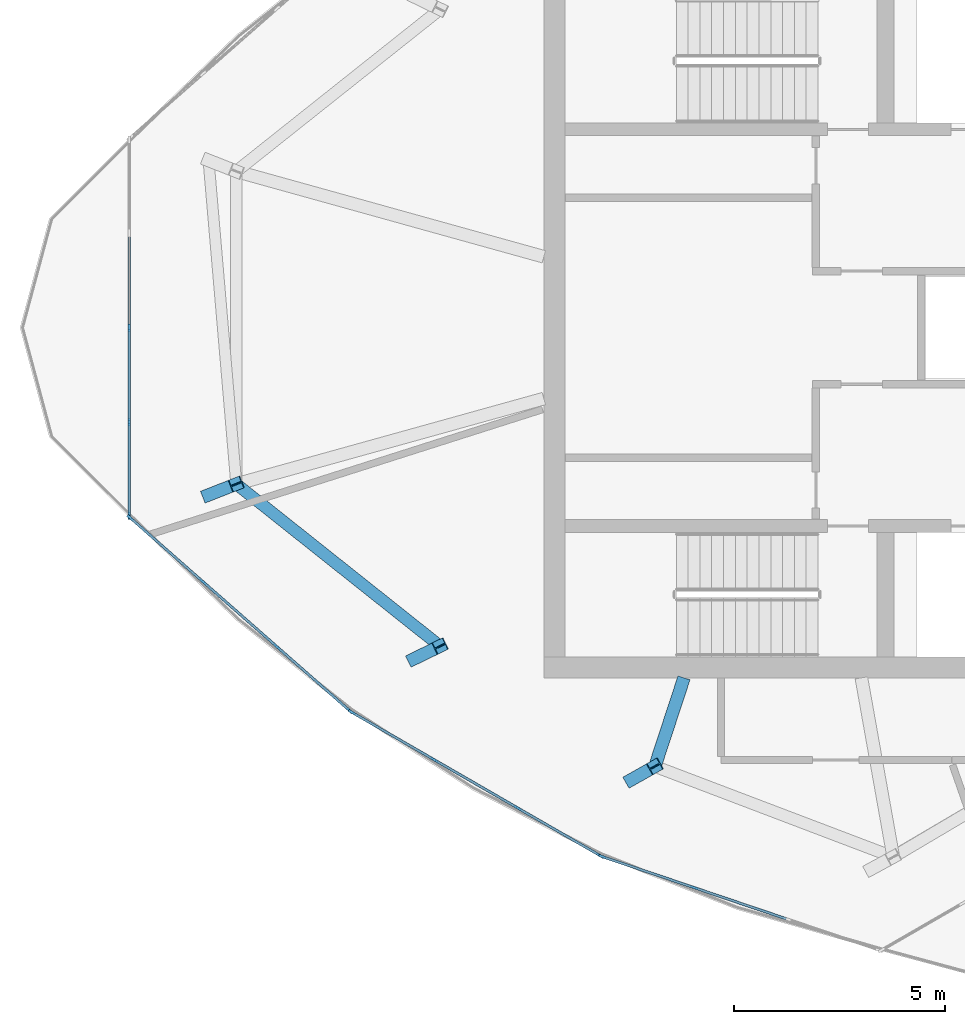
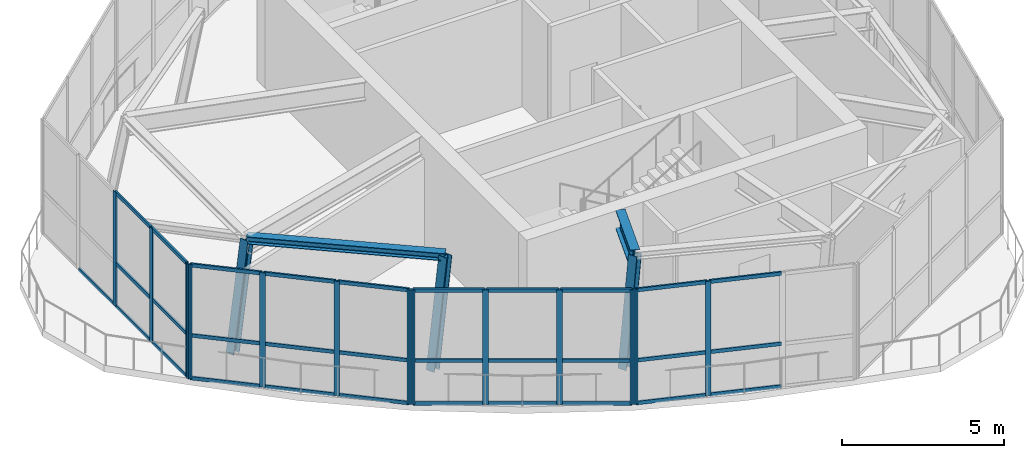
# One storey, part 1 of 11: 48 members, 1 beam, 4 elements without a shape of their own.
"""IFC4 building model written with IfcOpenShell, lengths in metres."""

from ifc_helpers import new_model, si_unit, direction, frame, origin, origin_2d, place, context, subcontext, project, spatial, rectangle, i_section, extrude, source, transform, mapped, material, layer, layer_set, material_profile, profile_set, type_object, element, aggregate, save


model = new_model("IFC4")

# Units and contexts
model_context = context("Model", 3, precision=1e-05, world=origin(), true_north=direction((0.0, 1.0)))
body_context = subcontext(model_context, "Body", "Model", "MODEL_VIEW")
ifc_project = project(units=[si_unit("LENGTHUNIT", "METRE"), si_unit("AREAUNIT", "SQUARE_METRE"), si_unit("VOLUMEUNIT", "CUBIC_METRE"), si_unit("PLANEANGLEUNIT", "RADIAN"), si_unit("MASSUNIT", "GRAM", prefix="KILO")], contexts=[model_context])

# Site, building, storey
site_placement = place(None, origin())
site = spatial("IfcSite", under=ifc_project, at=site_placement, CompositionType="ELEMENT")
building_placement = place(site_placement, origin())
building = spatial("IfcBuilding", under=site, at=building_placement, Name="Qafzar Sky-Pleat Residences", CompositionType="ELEMENT")
storey_placement = place(building_placement, frame((0.0, 0.0, 257.5)))
storey = spatial("IfcBuildingStorey", under=building, at=storey_placement, Name="L77 Crown", CompositionType="ELEMENT", Elevation=257.5)

# Members
ifc_material_1 = material(Name="Steel S460", Category="steel")
ifc_material_profile_1 = material_profile(ifc_material_1, i_section(OverallWidth=0.300048828125, OverallDepth=0.300048828125, WebThickness=0.010986328125, FlangeThickness=0.01904296875, FilletRadius=0.027099609375, at=origin_2d()), Name="HEB 300")
ifc_profile_set_1 = profile_set([ifc_material_profile_1], Name="Steel S460")
member_type_1 = type_object("IfcMemberType", Name="MEM-CROWN-RIB", PredefinedType="CHORD", material=ifc_profile_set_1)
shared_shape_1 = source(origin(), body_context, "Body", "SweptSolid", [
    extrude(i_section(OverallWidth=0.300048828125, OverallDepth=0.300048828125, WebThickness=0.010986328125, FlangeThickness=0.01904296875, FilletRadius=0.027099609375, at=origin_2d()), origin(), (0.0, 0.0, 1.0), 3.95947265625),
])
member_1_placement = place(storey_placement, frame((16.35302734375, 22.03564453125, 0.0), z_axis=(0.166048887915, 0.065174034358, 0.983961438303), x_axis=(-0.365363603817, 0.930864886547, 0.0)))
element("IfcMember", 1, at=member_1_placement, inside=storey, type_object=member_type_1, Name="L77 Crown CROWN FRAME Inclined Rib 2", PredefinedType="CHORD", context=body_context, shape_type="MappedRepresentation", body=[
    mapped(shared_shape_1, transform((0.0, 0.0, 0.0), x_axis=(1.0, 0.0, 0.0), y_axis=(0.0, 1.0, 0.0), z_axis=(0.0, 0.0, 1.0), scale=1.0)),
])
shared_shape_2 = source(origin(), body_context, "Body", "SweptSolid", [
    extrude(i_section(OverallWidth=0.300048828125, OverallDepth=0.300048828125, WebThickness=0.010986328125, FlangeThickness=0.01904296875, FilletRadius=0.027099609375, at=origin_2d()), origin(), (0.0, 0.0, 1.0), 3.95703125),
])
member_2_placement = place(storey_placement, frame((21.219970703125, 18.150390625, 0.0), z_axis=(0.15727218564, 0.076322359214, 0.984601623555), x_axis=(-0.436593885369, 0.899658701541, 0.0)))
element("IfcMember", 2, at=member_2_placement, inside=storey, type_object=member_type_1, Name="L77 Crown CROWN FRAME Inclined Rib 3", PredefinedType="CHORD", context=body_context, shape_type="MappedRepresentation", body=[
    mapped(shared_shape_2, transform((0.0, 0.0, 0.0), x_axis=(1.0, 0.0, 0.0), y_axis=(0.0, 1.0, 0.0), z_axis=(0.0, 0.0, 1.0), scale=1.0)),
])
shared_shape_3 = source(origin(), body_context, "Body", "SweptSolid", [
    extrude(i_section(OverallWidth=0.300048828125, OverallDepth=0.300048828125, WebThickness=0.010986328125, FlangeThickness=0.01904296875, FilletRadius=0.027099609375, at=origin_2d()), origin(), (0.0, 0.0, 1.0), 3.9482421875),
])
member_3_placement = place(storey_placement, frame((26.375244140625, 15.2861328125, 0.0), z_axis=(0.141291723016, 0.079704608739, 0.986754186387), x_axis=(-0.491328601201, 0.870974285293, 0.0)))
element("IfcMember", 3, at=member_3_placement, inside=storey, type_object=member_type_1, Name="L77 Crown CROWN FRAME Inclined Rib 4", PredefinedType="CHORD", context=body_context, shape_type="MappedRepresentation", body=[
    mapped(shared_shape_3, transform((0.0, 0.0, 0.0), x_axis=(1.0, 0.0, 0.0), y_axis=(0.0, 1.0, 0.0), z_axis=(0.0, 0.0, 1.0), scale=1.0)),
])
ifc_material_2 = material(Name="Steel S355", Category="steel")
ifc_material_profile_2 = material_profile(ifc_material_2, i_section(OverallWidth=0.280029296875, OverallDepth=0.280029296875, WebThickness=0.010498046875, FlangeThickness=0.01806640625, FilletRadius=0.02392578125, at=origin_2d()), Name="HEB 280")
ifc_profile_set_2 = profile_set([ifc_material_profile_2], Name="Steel S355")
member_type_2 = type_object("IfcMemberType", Name="MEM-CROWN-RING", PredefinedType="PURLIN", material=ifc_profile_set_2)
shared_shape_4 = source(origin(), body_context, "Body", "SweptSolid", [
    extrude(i_section(OverallWidth=0.280029296875, OverallDepth=0.280029296875, WebThickness=0.010498046875, FlangeThickness=0.01806640625, FilletRadius=0.02392578125, at=origin_2d()), origin(), (0.0, 0.0, 1.0), 6.172607421875),
])
member_4_placement = place(storey_placement, frame((17.010498046875, 22.293701171875, 3.906005859375), z_axis=(0.782771382016, -0.622309379245, 0.0), x_axis=(0.622309379245, 0.782771382016, 0.0)))
element("IfcMember", 4, at=member_4_placement, inside=storey, type_object=member_type_2, Name="L77 Crown CROWN FRAME Ring Beam 2", PredefinedType="PURLIN", context=body_context, shape_type="MappedRepresentation", body=[
    mapped(shared_shape_4, transform((0.0, 0.0, 0.0), x_axis=(1.0, 0.0, 0.0), y_axis=(0.0, 1.0, 0.0), z_axis=(0.0, 0.0, 1.0), scale=1.0)),
])

# Beam
ifc_material_profile_3 = material_profile(ifc_material_1, i_section(OverallWidth=0.300048828125, OverallDepth=0.699951171875, WebThickness=0.01708984375, FlangeThickness=0.031982421875, FilletRadius=0.027099609375, at=origin_2d()), Name="HEB 700")
ifc_profile_set_3 = profile_set([ifc_material_profile_3], Name="Steel S460")
beam_type = type_object("IfcBeamType", Name="BM-CHORD-HEB700", PredefinedType="BEAM", material=ifc_profile_set_3)
shared_shape_5 = source(origin(), body_context, "Body", "SweptSolid", [
    extrude(i_section(OverallWidth=0.300048828125, OverallDepth=0.699951171875, WebThickness=0.01708984375, FlangeThickness=0.031982421875, FilletRadius=0.027099609375, at=origin_2d()), origin(), (0.0, 0.0, 1.0), 2.20947265625),
])
beam_placement = place(storey_placement, frame((26.93310546875, 15.600830078125, 3.697998046875), z_axis=(0.312147590213, 0.95003362147, 0.0), x_axis=(-0.95003362147, 0.312147590213, 0.0)))
element("IfcBeam", 5, at=beam_placement, inside=storey, type_object=beam_type, Name="L78 Crown Crown Rib Base Transfer Beam 4", PredefinedType="BEAM", context=body_context, shape_type="MappedRepresentation", body=[
    mapped(shared_shape_5, transform((0.0, 0.0, 0.0), x_axis=(1.0, 0.0, 0.0), y_axis=(0.0, 1.0, 0.0), z_axis=(0.0, 0.0, 1.0), scale=1.0)),
])

# Curtain wall, members
ifc_material_3 = material(Name="Anodised bronze aluminium framing", Category="aluminium")
ifc_layer = layer(ifc_material_3, 0.179931640625)
ifc_layer_set = layer_set([ifc_layer], Name="Anodised bronze aluminium framing")
curtain_wall_type = type_object("IfcCurtainWallType", Name="CW-SYS-06", PredefinedType="NOTDEFINED", material=ifc_layer_set)
curtain_wall_1_placement = place(storey_placement, origin())
curtain_wall_1 = element("IfcCurtainWall", 6, at=curtain_wall_1_placement, inside=storey, type_object=curtain_wall_type, Name="L77 Crown CW-06 Curtain Wall CW-CROWN-02-01", PredefinedType="NOTDEFINED")
ifc_material_4 = material(Name="Anodised bronze aluminium", Category="aluminium")
ifc_material_profile_4 = material_profile(ifc_material_4, rectangle(XDim=0.06005859375, YDim=0.179931640625, at=origin_2d()), Name="ALU MULLION 60x180")
ifc_profile_set_4 = profile_set([ifc_material_profile_4], Name="Anodised bronze aluminium")
member_type_3 = type_object("IfcMemberType", Name="CWM-06", PredefinedType="MULLION", material=ifc_profile_set_4)
shared_shape_6 = source(origin(), body_context, "Body", "SweptSolid", [
    extrude(rectangle(XDim=0.06005859375, YDim=0.179931640625, at=origin_2d()), origin(), (0.0, 0.0, 1.0), 4.300048828125),
])
member_5_placement = place(storey_placement, frame((14.474609375, 26.0, 0.0), z_axis=(0.0, 0.0, 1.0), x_axis=(1.0, 0.0, 0.0)))
member_5 = element("IfcMember", 7, at=member_5_placement, type_object=member_type_3, Name="CW-06 mullion 3", PredefinedType="MULLION", context=body_context, shape_type="MappedRepresentation", body=[
    mapped(shared_shape_6, transform((0.0, 0.0, 0.0), x_axis=(1.0, 0.0, 0.0), y_axis=(0.0, 1.0, 0.0), z_axis=(0.0, 0.0, 1.0), scale=1.0)),
])
member_6_placement = place(storey_placement, frame((14.474609375, 23.75634765625, 0.0), z_axis=(0.0, 0.0, 1.0), x_axis=(1.0, 0.0, 0.0)))
member_6 = element("IfcMember", 8, at=member_6_placement, type_object=member_type_3, Name="CW-06 mullion 4", PredefinedType="MULLION", context=body_context, shape_type="MappedRepresentation", body=[
    mapped(shared_shape_6, transform((0.0, 0.0, 0.0), x_axis=(1.0, 0.0, 0.0), y_axis=(0.0, 1.0, 0.0), z_axis=(0.0, 0.0, 1.0), scale=1.0)),
])
member_7_placement = place(storey_placement, frame((14.474609375, 21.542724609375, 0.0), z_axis=(0.0, 0.0, 1.0), x_axis=(1.0, 0.0, 0.0)))
member_7 = element("IfcMember", 9, at=member_7_placement, type_object=member_type_3, Name="CW-06 mullion 5", PredefinedType="MULLION", context=body_context, shape_type="MappedRepresentation", body=[
    mapped(shared_shape_6, transform((0.0, 0.0, 0.0), x_axis=(1.0, 0.0, 0.0), y_axis=(0.0, 1.0, 0.0), z_axis=(0.0, 0.0, 1.0), scale=1.0)),
])

curtain_wall_2_placement = place(storey_placement, origin())
curtain_wall_2 = element("IfcCurtainWall", 10, at=curtain_wall_2_placement, inside=storey, type_object=curtain_wall_type, Name="L77 Crown CW-06 Curtain Wall CW-CROWN-02-02", PredefinedType="NOTDEFINED")
member_8_placement = place(storey_placement, frame((14.4970703125, 21.492919921875, 0.0), z_axis=(0.0, 0.0, 1.0), x_axis=(0.660128796397, 0.751152429383, 0.0)))
member_8 = element("IfcMember", 11, at=member_8_placement, type_object=member_type_3, Name="CW-06 mullion 1", PredefinedType="MULLION", context=body_context, shape_type="MappedRepresentation", body=[
    mapped(shared_shape_6, transform((0.0, 0.0, 0.0), x_axis=(1.0, 0.0, 0.0), y_axis=(0.0, 1.0, 0.0), z_axis=(0.0, 0.0, 1.0), scale=1.0)),
])
member_9_placement = place(storey_placement, frame((16.224609375, 19.974853515625, 0.0), z_axis=(0.0, 0.0, 1.0), x_axis=(0.660128796397, 0.751152429383, 0.0)))
member_9 = element("IfcMember", 12, at=member_9_placement, type_object=member_type_3, Name="CW-06 mullion 2", PredefinedType="MULLION", context=body_context, shape_type="MappedRepresentation", body=[
    mapped(shared_shape_6, transform((0.0, 0.0, 0.0), x_axis=(1.0, 0.0, 0.0), y_axis=(0.0, 1.0, 0.0), z_axis=(0.0, 0.0, 1.0), scale=1.0)),
])
member_10_placement = place(storey_placement, frame((17.974609375, 18.436767578125, 0.0), z_axis=(0.0, 0.0, 1.0), x_axis=(0.660128796397, 0.751152429383, 0.0)))
member_10 = element("IfcMember", 13, at=member_10_placement, type_object=member_type_3, Name="CW-06 mullion 3", PredefinedType="MULLION", context=body_context, shape_type="MappedRepresentation", body=[
    mapped(shared_shape_6, transform((0.0, 0.0, 0.0), x_axis=(1.0, 0.0, 0.0), y_axis=(0.0, 1.0, 0.0), z_axis=(0.0, 0.0, 1.0), scale=1.0)),
])
member_11_placement = place(storey_placement, frame((19.7021484375, 16.918701171875, 0.0), z_axis=(0.0, 0.0, 1.0), x_axis=(0.660128796397, 0.751152429383, 0.0)))
member_11 = element("IfcMember", 14, at=member_11_placement, type_object=member_type_3, Name="CW-06 mullion 4", PredefinedType="MULLION", context=body_context, shape_type="MappedRepresentation", body=[
    mapped(shared_shape_6, transform((0.0, 0.0, 0.0), x_axis=(1.0, 0.0, 0.0), y_axis=(0.0, 1.0, 0.0), z_axis=(0.0, 0.0, 1.0), scale=1.0)),
])

curtain_wall_3_placement = place(storey_placement, origin())
curtain_wall_3 = element("IfcCurtainWall", 15, at=curtain_wall_3_placement, inside=storey, type_object=curtain_wall_type, Name="L77 Crown CW-06 Curtain Wall CW-CROWN-02-03", PredefinedType="NOTDEFINED")
member_12_placement = place(storey_placement, frame((19.75048828125, 16.8837890625, 0.0), z_axis=(0.0, 0.0, 1.0), x_axis=(0.499999476069, 0.866025706276, 0.0)))
member_12 = element("IfcMember", 16, at=member_12_placement, type_object=member_type_3, Name="CW-06 mullion 1", PredefinedType="MULLION", context=body_context, shape_type="MappedRepresentation", body=[
    mapped(shared_shape_6, transform((0.0, 0.0, 0.0), x_axis=(1.0, 0.0, 0.0), y_axis=(0.0, 1.0, 0.0), z_axis=(0.0, 0.0, 1.0), scale=1.0)),
])
member_13_placement = place(storey_placement, frame((21.703125, 15.756591796875, 0.0), z_axis=(0.0, 0.0, 1.0), x_axis=(0.499999476069, 0.866025706276, 0.0)))
member_13 = element("IfcMember", 17, at=member_13_placement, type_object=member_type_3, Name="CW-06 mullion 2", PredefinedType="MULLION", context=body_context, shape_type="MappedRepresentation", body=[
    mapped(shared_shape_6, transform((0.0, 0.0, 0.0), x_axis=(1.0, 0.0, 0.0), y_axis=(0.0, 1.0, 0.0), z_axis=(0.0, 0.0, 1.0), scale=1.0)),
])
member_14_placement = place(storey_placement, frame((23.681640625, 14.6142578125, 0.0), z_axis=(0.0, 0.0, 1.0), x_axis=(0.499999476069, 0.866025706276, 0.0)))
member_14 = element("IfcMember", 18, at=member_14_placement, type_object=member_type_3, Name="CW-06 mullion 3", PredefinedType="MULLION", context=body_context, shape_type="MappedRepresentation", body=[
    mapped(shared_shape_6, transform((0.0, 0.0, 0.0), x_axis=(1.0, 0.0, 0.0), y_axis=(0.0, 1.0, 0.0), z_axis=(0.0, 0.0, 1.0), scale=1.0)),
])
member_15_placement = place(storey_placement, frame((25.634033203125, 13.487060546875, 0.0), z_axis=(0.0, 0.0, 1.0), x_axis=(0.499999476069, 0.866025706276, 0.0)))
member_15 = element("IfcMember", 19, at=member_15_placement, type_object=member_type_3, Name="CW-06 mullion 4", PredefinedType="MULLION", context=body_context, shape_type="MappedRepresentation", body=[
    mapped(shared_shape_6, transform((0.0, 0.0, 0.0), x_axis=(1.0, 0.0, 0.0), y_axis=(0.0, 1.0, 0.0), z_axis=(0.0, 0.0, 1.0), scale=1.0)),
])

curtain_wall_4_placement = place(storey_placement, origin())
curtain_wall_4 = element("IfcCurtainWall", 20, at=curtain_wall_4_placement, inside=storey, type_object=curtain_wall_type, Name="L77 Crown CW-06 Curtain Wall CW-CROWN-02-04", PredefinedType="NOTDEFINED")
member_16_placement = place(storey_placement, frame((25.6884765625, 13.46240234375, 0.0), z_axis=(0.0, 0.0, 1.0), x_axis=(0.320448247802, 0.947266024135, 0.0)))
member_16 = element("IfcMember", 21, at=member_16_placement, type_object=member_type_3, Name="CW-06 mullion 1", PredefinedType="MULLION", context=body_context, shape_type="MappedRepresentation", body=[
    mapped(shared_shape_6, transform((0.0, 0.0, 0.0), x_axis=(1.0, 0.0, 0.0), y_axis=(0.0, 1.0, 0.0), z_axis=(0.0, 0.0, 1.0), scale=1.0)),
])
member_17_placement = place(storey_placement, frame((27.866943359375, 12.7255859375, 0.0), z_axis=(0.0, 0.0, 1.0), x_axis=(0.320448247802, 0.947266024135, 0.0)))
member_17 = element("IfcMember", 22, at=member_17_placement, type_object=member_type_3, Name="CW-06 mullion 2", PredefinedType="MULLION", context=body_context, shape_type="MappedRepresentation", body=[
    mapped(shared_shape_6, transform((0.0, 0.0, 0.0), x_axis=(1.0, 0.0, 0.0), y_axis=(0.0, 1.0, 0.0), z_axis=(0.0, 0.0, 1.0), scale=1.0)),
])

# Member
ifc_material_profile_5 = material_profile(ifc_material_4, rectangle(XDim=0.06005859375, YDim=0.135009765625, at=origin_2d()), Name="ALU TRANSOM 60x135")
ifc_profile_set_5 = profile_set([ifc_material_profile_5], Name="Anodised bronze aluminium")
member_type_4 = type_object("IfcMemberType", Name="CWT-06", PredefinedType="USERDEFINED", material=ifc_profile_set_5)
shared_shape_7 = source(origin(), body_context, "Body", "SweptSolid", [
    extrude(rectangle(XDim=0.06005859375, YDim=0.135009765625, at=origin_2d()), origin(), (0.0, 0.0, 1.0), 2.153564453125),
])
member_18_placement = place(storey_placement, frame((14.474609375, 23.726318359375, 0.030029296875), z_axis=(0.0, -1.0, 0.0), x_axis=(1.0, 0.0, 0.0)))
member_18 = element("IfcMember", 23, at=member_18_placement, type_object=member_type_4, Name="CW-06 transom 4.1", ObjectType="TRANSOM", PredefinedType="USERDEFINED", context=body_context, shape_type="MappedRepresentation", body=[
    mapped(shared_shape_7, transform((0.0, 0.0, 0.0), x_axis=(1.0, 0.0, 0.0), y_axis=(0.0, 1.0, 0.0), z_axis=(0.0, 0.0, 1.0), scale=1.0)),
])

member_19_placement = place(storey_placement, frame((14.474609375, 23.726318359375, 1.634033203125), z_axis=(0.0, -1.0, 0.0), x_axis=(1.0, 0.0, 0.0)))
member_19 = element("IfcMember", 24, at=member_19_placement, type_object=member_type_4, Name="CW-06 transom 4.2", ObjectType="TRANSOM", PredefinedType="USERDEFINED", context=body_context, shape_type="MappedRepresentation", body=[
    mapped(shared_shape_7, transform((0.0, 0.0, 0.0), x_axis=(1.0, 0.0, 0.0), y_axis=(0.0, 1.0, 0.0), z_axis=(0.0, 0.0, 1.0), scale=1.0)),
])

member_20_placement = place(storey_placement, frame((14.474609375, 23.726318359375, 4.27001953125), z_axis=(0.0, -1.0, 0.0), x_axis=(1.0, 0.0, 0.0)))
member_20 = element("IfcMember", 25, at=member_20_placement, type_object=member_type_4, Name="CW-06 transom 4.3", ObjectType="TRANSOM", PredefinedType="USERDEFINED", context=body_context, shape_type="MappedRepresentation", body=[
    mapped(shared_shape_7, transform((0.0, 0.0, 0.0), x_axis=(1.0, 0.0, 0.0), y_axis=(0.0, 1.0, 0.0), z_axis=(0.0, 0.0, 1.0), scale=1.0)),
])

shared_shape_8 = source(origin(), body_context, "Body", "SweptSolid", [
    extrude(rectangle(XDim=0.06005859375, YDim=0.135009765625, at=origin_2d()), origin(), (0.0, 0.0, 1.0), 2.18359375),
])
member_21_placement = place(storey_placement, frame((14.474609375, 28.213623046875, 0.030029296875), z_axis=(0.0, -1.0, 0.0), x_axis=(1.0, 0.0, 0.0)))
member_21 = element("IfcMember", 26, at=member_21_placement, type_object=member_type_4, Name="CW-06 transom 2.1", ObjectType="TRANSOM", PredefinedType="USERDEFINED", context=body_context, shape_type="MappedRepresentation", body=[
    mapped(shared_shape_8, transform((0.0, 0.0, 0.0), x_axis=(1.0, 0.0, 0.0), y_axis=(0.0, 1.0, 0.0), z_axis=(0.0, 0.0, 1.0), scale=1.0)),
])

member_22_placement = place(storey_placement, frame((14.474609375, 25.969970703125, 0.030029296875), z_axis=(0.0, -1.0, 0.0), x_axis=(1.0, 0.0, 0.0)))
member_22 = element("IfcMember", 27, at=member_22_placement, type_object=member_type_4, Name="CW-06 transom 3.1", ObjectType="TRANSOM", PredefinedType="USERDEFINED", context=body_context, shape_type="MappedRepresentation", body=[
    mapped(shared_shape_8, transform((0.0, 0.0, 0.0), x_axis=(1.0, 0.0, 0.0), y_axis=(0.0, 1.0, 0.0), z_axis=(0.0, 0.0, 1.0), scale=1.0)),
])

member_23_placement = place(storey_placement, frame((14.474609375, 25.969970703125, 1.634033203125), z_axis=(0.0, -1.0, 0.0), x_axis=(1.0, 0.0, 0.0)))
member_23 = element("IfcMember", 28, at=member_23_placement, type_object=member_type_4, Name="CW-06 transom 3.2", ObjectType="TRANSOM", PredefinedType="USERDEFINED", context=body_context, shape_type="MappedRepresentation", body=[
    mapped(shared_shape_8, transform((0.0, 0.0, 0.0), x_axis=(1.0, 0.0, 0.0), y_axis=(0.0, 1.0, 0.0), z_axis=(0.0, 0.0, 1.0), scale=1.0)),
])

member_24_placement = place(storey_placement, frame((14.474609375, 25.969970703125, 4.27001953125), z_axis=(0.0, -1.0, 0.0), x_axis=(1.0, 0.0, 0.0)))
member_24 = element("IfcMember", 29, at=member_24_placement, type_object=member_type_4, Name="CW-06 transom 3.3", ObjectType="TRANSOM", PredefinedType="USERDEFINED", context=body_context, shape_type="MappedRepresentation", body=[
    mapped(shared_shape_8, transform((0.0, 0.0, 0.0), x_axis=(1.0, 0.0, 0.0), y_axis=(0.0, 1.0, 0.0), z_axis=(0.0, 0.0, 1.0), scale=1.0)),
])

aggregate(curtain_wall_1, [member_5, member_6, member_7, member_21, member_22, member_23, member_24, member_18, member_19, member_20])

shared_shape_9 = source(origin(), body_context, "Body", "SweptSolid", [
    extrude(rectangle(XDim=0.06005859375, YDim=0.135009765625, at=origin_2d()), origin(), (0.0, 0.0, 1.0), 2.23974609375),
])
member_25_placement = place(storey_placement, frame((14.51953125, 21.47314453125, 0.030029296875), z_axis=(0.751150157237, -0.660131381835, 0.0), x_axis=(0.660131381835, 0.751150157237, 0.0)))
member_25 = element("IfcMember", 30, at=member_25_placement, type_object=member_type_4, Name="CW-06 transom 1.1", ObjectType="TRANSOM", PredefinedType="USERDEFINED", context=body_context, shape_type="MappedRepresentation", body=[
    mapped(shared_shape_9, transform((0.0, 0.0, 0.0), x_axis=(1.0, 0.0, 0.0), y_axis=(0.0, 1.0, 0.0), z_axis=(0.0, 0.0, 1.0), scale=1.0)),
])

member_26_placement = place(storey_placement, frame((14.51953125, 21.47314453125, 1.634033203125), z_axis=(0.751150157237, -0.660131381835, 0.0), x_axis=(0.660131381835, 0.751150157237, 0.0)))
member_26 = element("IfcMember", 31, at=member_26_placement, type_object=member_type_4, Name="CW-06 transom 1.2", ObjectType="TRANSOM", PredefinedType="USERDEFINED", context=body_context, shape_type="MappedRepresentation", body=[
    mapped(shared_shape_9, transform((0.0, 0.0, 0.0), x_axis=(1.0, 0.0, 0.0), y_axis=(0.0, 1.0, 0.0), z_axis=(0.0, 0.0, 1.0), scale=1.0)),
])

member_27_placement = place(storey_placement, frame((14.51953125, 21.47314453125, 4.27001953125), z_axis=(0.751150157237, -0.660131381835, 0.0), x_axis=(0.660131381835, 0.751150157237, 0.0)))
member_27 = element("IfcMember", 32, at=member_27_placement, type_object=member_type_4, Name="CW-06 transom 1.3", ObjectType="TRANSOM", PredefinedType="USERDEFINED", context=body_context, shape_type="MappedRepresentation", body=[
    mapped(shared_shape_9, transform((0.0, 0.0, 0.0), x_axis=(1.0, 0.0, 0.0), y_axis=(0.0, 1.0, 0.0), z_axis=(0.0, 0.0, 1.0), scale=1.0)),
])

member_28_placement = place(storey_placement, frame((17.9970703125, 18.4169921875, 0.030029296875), z_axis=(0.751150157237, -0.660131381835, 0.0), x_axis=(0.660131381835, 0.751150157237, 0.0)))
member_28 = element("IfcMember", 33, at=member_28_placement, type_object=member_type_4, Name="CW-06 transom 3.1", ObjectType="TRANSOM", PredefinedType="USERDEFINED", context=body_context, shape_type="MappedRepresentation", body=[
    mapped(shared_shape_9, transform((0.0, 0.0, 0.0), x_axis=(1.0, 0.0, 0.0), y_axis=(0.0, 1.0, 0.0), z_axis=(0.0, 0.0, 1.0), scale=1.0)),
])

member_29_placement = place(storey_placement, frame((17.9970703125, 18.4169921875, 1.634033203125), z_axis=(0.751150157237, -0.660131381835, 0.0), x_axis=(0.660131381835, 0.751150157237, 0.0)))
member_29 = element("IfcMember", 34, at=member_29_placement, type_object=member_type_4, Name="CW-06 transom 3.2", ObjectType="TRANSOM", PredefinedType="USERDEFINED", context=body_context, shape_type="MappedRepresentation", body=[
    mapped(shared_shape_9, transform((0.0, 0.0, 0.0), x_axis=(1.0, 0.0, 0.0), y_axis=(0.0, 1.0, 0.0), z_axis=(0.0, 0.0, 1.0), scale=1.0)),
])

member_30_placement = place(storey_placement, frame((17.9970703125, 18.4169921875, 4.27001953125), z_axis=(0.751150157237, -0.660131381835, 0.0), x_axis=(0.660131381835, 0.751150157237, 0.0)))
member_30 = element("IfcMember", 35, at=member_30_placement, type_object=member_type_4, Name="CW-06 transom 3.3", ObjectType="TRANSOM", PredefinedType="USERDEFINED", context=body_context, shape_type="MappedRepresentation", body=[
    mapped(shared_shape_9, transform((0.0, 0.0, 0.0), x_axis=(1.0, 0.0, 0.0), y_axis=(0.0, 1.0, 0.0), z_axis=(0.0, 0.0, 1.0), scale=1.0)),
])

member_31_placement = place(storey_placement, frame((25.716796875, 13.452880859375, 0.030029296875), z_axis=(0.947256702943, -0.320475800535, 0.0), x_axis=(0.320475800535, 0.947256702943, 0.0)))
member_31 = element("IfcMember", 36, at=member_31_placement, type_object=member_type_4, Name="CW-06 transom 1.1", ObjectType="TRANSOM", PredefinedType="USERDEFINED", context=body_context, shape_type="MappedRepresentation", body=[
    mapped(shared_shape_9, transform((0.0, 0.0, 0.0), x_axis=(1.0, 0.0, 0.0), y_axis=(0.0, 1.0, 0.0), z_axis=(0.0, 0.0, 1.0), scale=1.0)),
])

member_32_placement = place(storey_placement, frame((25.716796875, 13.452880859375, 1.634033203125), z_axis=(0.947256702943, -0.320475800535, 0.0), x_axis=(0.320475800535, 0.947256702943, 0.0)))
member_32 = element("IfcMember", 37, at=member_32_placement, type_object=member_type_4, Name="CW-06 transom 1.2", ObjectType="TRANSOM", PredefinedType="USERDEFINED", context=body_context, shape_type="MappedRepresentation", body=[
    mapped(shared_shape_9, transform((0.0, 0.0, 0.0), x_axis=(1.0, 0.0, 0.0), y_axis=(0.0, 1.0, 0.0), z_axis=(0.0, 0.0, 1.0), scale=1.0)),
])

member_33_placement = place(storey_placement, frame((25.716796875, 13.452880859375, 4.27001953125), z_axis=(0.947256702943, -0.320475800535, 0.0), x_axis=(0.320475800535, 0.947256702943, 0.0)))
member_33 = element("IfcMember", 38, at=member_33_placement, type_object=member_type_4, Name="CW-06 transom 1.3", ObjectType="TRANSOM", PredefinedType="USERDEFINED", context=body_context, shape_type="MappedRepresentation", body=[
    mapped(shared_shape_9, transform((0.0, 0.0, 0.0), x_axis=(1.0, 0.0, 0.0), y_axis=(0.0, 1.0, 0.0), z_axis=(0.0, 0.0, 1.0), scale=1.0)),
])

shared_shape_10 = source(origin(), body_context, "Body", "SweptSolid", [
    extrude(rectangle(XDim=0.06005859375, YDim=0.135009765625, at=origin_2d()), origin(), (0.0, 0.0, 1.0), 2.269775390625),
])
member_34_placement = place(storey_placement, frame((16.2470703125, 19.955078125, 0.030029296875), z_axis=(0.751189140422, -0.660087021015, 0.0), x_axis=(0.660087021015, 0.751189140422, 0.0)))
member_34 = element("IfcMember", 39, at=member_34_placement, type_object=member_type_4, Name="CW-06 transom 2.1", ObjectType="TRANSOM", PredefinedType="USERDEFINED", context=body_context, shape_type="MappedRepresentation", body=[
    mapped(shared_shape_10, transform((0.0, 0.0, 0.0), x_axis=(1.0, 0.0, 0.0), y_axis=(0.0, 1.0, 0.0), z_axis=(0.0, 0.0, 1.0), scale=1.0)),
])

member_35_placement = place(storey_placement, frame((16.2470703125, 19.955078125, 1.634033203125), z_axis=(0.751189140422, -0.660087021015, 0.0), x_axis=(0.660087021015, 0.751189140422, 0.0)))
member_35 = element("IfcMember", 40, at=member_35_placement, type_object=member_type_4, Name="CW-06 transom 2.2", ObjectType="TRANSOM", PredefinedType="USERDEFINED", context=body_context, shape_type="MappedRepresentation", body=[
    mapped(shared_shape_10, transform((0.0, 0.0, 0.0), x_axis=(1.0, 0.0, 0.0), y_axis=(0.0, 1.0, 0.0), z_axis=(0.0, 0.0, 1.0), scale=1.0)),
])

member_36_placement = place(storey_placement, frame((16.2470703125, 19.955078125, 4.27001953125), z_axis=(0.751189140422, -0.660087021015, 0.0), x_axis=(0.660087021015, 0.751189140422, 0.0)))
member_36 = element("IfcMember", 41, at=member_36_placement, type_object=member_type_4, Name="CW-06 transom 2.3", ObjectType="TRANSOM", PredefinedType="USERDEFINED", context=body_context, shape_type="MappedRepresentation", body=[
    mapped(shared_shape_10, transform((0.0, 0.0, 0.0), x_axis=(1.0, 0.0, 0.0), y_axis=(0.0, 1.0, 0.0), z_axis=(0.0, 0.0, 1.0), scale=1.0)),
])

aggregate(curtain_wall_2, [member_8, member_9, member_10, member_11, member_25, member_26, member_27, member_34, member_35, member_36, member_28, member_29, member_30])

member_37_placement = place(storey_placement, frame((27.895263671875, 12.7158203125, 0.030029296875), z_axis=(0.94727575147, -0.320419491726, 0.0), x_axis=(0.320419491726, 0.94727575147, 0.0)))
member_37 = element("IfcMember", 42, at=member_37_placement, type_object=member_type_4, Name="CW-06 transom 2.1", ObjectType="TRANSOM", PredefinedType="USERDEFINED", context=body_context, shape_type="MappedRepresentation", body=[
    mapped(shared_shape_10, transform((0.0, 0.0, 0.0), x_axis=(1.0, 0.0, 0.0), y_axis=(0.0, 1.0, 0.0), z_axis=(0.0, 0.0, 1.0), scale=1.0)),
])

member_38_placement = place(storey_placement, frame((27.895263671875, 12.7158203125, 1.634033203125), z_axis=(0.94727575147, -0.320419491726, 0.0), x_axis=(0.320419491726, 0.94727575147, 0.0)))
member_38 = element("IfcMember", 43, at=member_38_placement, type_object=member_type_4, Name="CW-06 transom 2.2", ObjectType="TRANSOM", PredefinedType="USERDEFINED", context=body_context, shape_type="MappedRepresentation", body=[
    mapped(shared_shape_10, transform((0.0, 0.0, 0.0), x_axis=(1.0, 0.0, 0.0), y_axis=(0.0, 1.0, 0.0), z_axis=(0.0, 0.0, 1.0), scale=1.0)),
])

member_39_placement = place(storey_placement, frame((27.895263671875, 12.7158203125, 4.27001953125), z_axis=(0.94727575147, -0.320419491726, 0.0), x_axis=(0.320419491726, 0.94727575147, 0.0)))
member_39 = element("IfcMember", 44, at=member_39_placement, type_object=member_type_4, Name="CW-06 transom 2.3", ObjectType="TRANSOM", PredefinedType="USERDEFINED", context=body_context, shape_type="MappedRepresentation", body=[
    mapped(shared_shape_10, transform((0.0, 0.0, 0.0), x_axis=(1.0, 0.0, 0.0), y_axis=(0.0, 1.0, 0.0), z_axis=(0.0, 0.0, 1.0), scale=1.0)),
])

aggregate(curtain_wall_4, [member_16, member_17, member_31, member_32, member_33, member_37, member_38, member_39])

shared_shape_11 = source(origin(), body_context, "Body", "SweptSolid", [
    extrude(rectangle(XDim=0.06005859375, YDim=0.135009765625, at=origin_2d()), origin(), (0.0, 0.0, 1.0), 2.1943359375),
])
member_40_placement = place(storey_placement, frame((19.776611328125, 16.868896484375, 0.030029296875), z_axis=(0.866029956157, -0.499992114976, 0.0), x_axis=(0.499992114976, 0.866029956157, 0.0)))
member_40 = element("IfcMember", 45, at=member_40_placement, type_object=member_type_4, Name="CW-06 transom 1.1", ObjectType="TRANSOM", PredefinedType="USERDEFINED", context=body_context, shape_type="MappedRepresentation", body=[
    mapped(shared_shape_11, transform((0.0, 0.0, 0.0), x_axis=(1.0, 0.0, 0.0), y_axis=(0.0, 1.0, 0.0), z_axis=(0.0, 0.0, 1.0), scale=1.0)),
])

member_41_placement = place(storey_placement, frame((19.776611328125, 16.868896484375, 1.634033203125), z_axis=(0.866029956157, -0.499992114976, 0.0), x_axis=(0.499992114976, 0.866029956157, 0.0)))
member_41 = element("IfcMember", 46, at=member_41_placement, type_object=member_type_4, Name="CW-06 transom 1.2", ObjectType="TRANSOM", PredefinedType="USERDEFINED", context=body_context, shape_type="MappedRepresentation", body=[
    mapped(shared_shape_11, transform((0.0, 0.0, 0.0), x_axis=(1.0, 0.0, 0.0), y_axis=(0.0, 1.0, 0.0), z_axis=(0.0, 0.0, 1.0), scale=1.0)),
])

member_42_placement = place(storey_placement, frame((19.776611328125, 16.868896484375, 4.27001953125), z_axis=(0.866029956157, -0.499992114976, 0.0), x_axis=(0.499992114976, 0.866029956157, 0.0)))
member_42 = element("IfcMember", 47, at=member_42_placement, type_object=member_type_4, Name="CW-06 transom 1.3", ObjectType="TRANSOM", PredefinedType="USERDEFINED", context=body_context, shape_type="MappedRepresentation", body=[
    mapped(shared_shape_11, transform((0.0, 0.0, 0.0), x_axis=(1.0, 0.0, 0.0), y_axis=(0.0, 1.0, 0.0), z_axis=(0.0, 0.0, 1.0), scale=1.0)),
])

shared_shape_12 = source(origin(), body_context, "Body", "SweptSolid", [
    extrude(rectangle(XDim=0.06005859375, YDim=0.135009765625, at=origin_2d()), origin(), (0.0, 0.0, 1.0), 2.224609375),
])
member_43_placement = place(storey_placement, frame((21.72900390625, 15.74169921875, 0.030029296875), z_axis=(0.866019272134, -0.50001062018, 0.0), x_axis=(0.50001062018, 0.866019272134, 0.0)))
member_43 = element("IfcMember", 48, at=member_43_placement, type_object=member_type_4, Name="CW-06 transom 2.1", ObjectType="TRANSOM", PredefinedType="USERDEFINED", context=body_context, shape_type="MappedRepresentation", body=[
    mapped(shared_shape_12, transform((0.0, 0.0, 0.0), x_axis=(1.0, 0.0, 0.0), y_axis=(0.0, 1.0, 0.0), z_axis=(0.0, 0.0, 1.0), scale=1.0)),
])

member_44_placement = place(storey_placement, frame((21.72900390625, 15.74169921875, 1.634033203125), z_axis=(0.866019272134, -0.50001062018, 0.0), x_axis=(0.50001062018, 0.866019272134, 0.0)))
member_44 = element("IfcMember", 49, at=member_44_placement, type_object=member_type_4, Name="CW-06 transom 2.2", ObjectType="TRANSOM", PredefinedType="USERDEFINED", context=body_context, shape_type="MappedRepresentation", body=[
    mapped(shared_shape_12, transform((0.0, 0.0, 0.0), x_axis=(1.0, 0.0, 0.0), y_axis=(0.0, 1.0, 0.0), z_axis=(0.0, 0.0, 1.0), scale=1.0)),
])

member_45_placement = place(storey_placement, frame((21.72900390625, 15.74169921875, 4.27001953125), z_axis=(0.866019272134, -0.50001062018, 0.0), x_axis=(0.50001062018, 0.866019272134, 0.0)))
member_45 = element("IfcMember", 50, at=member_45_placement, type_object=member_type_4, Name="CW-06 transom 2.3", ObjectType="TRANSOM", PredefinedType="USERDEFINED", context=body_context, shape_type="MappedRepresentation", body=[
    mapped(shared_shape_12, transform((0.0, 0.0, 0.0), x_axis=(1.0, 0.0, 0.0), y_axis=(0.0, 1.0, 0.0), z_axis=(0.0, 0.0, 1.0), scale=1.0)),
])

shared_shape_13 = source(origin(), body_context, "Body", "SweptSolid", [
    extrude(rectangle(XDim=0.06005859375, YDim=0.135009765625, at=origin_2d()), origin(), (0.0, 0.0, 1.0), 2.194580078125),
])
member_46_placement = place(storey_placement, frame((23.70751953125, 14.599365234375, 0.030029296875), z_axis=(0.866057765686, -0.499943943352, 0.0), x_axis=(0.499943943352, 0.866057765686, 0.0)))
member_46 = element("IfcMember", 51, at=member_46_placement, type_object=member_type_4, Name="CW-06 transom 3.1", ObjectType="TRANSOM", PredefinedType="USERDEFINED", context=body_context, shape_type="MappedRepresentation", body=[
    mapped(shared_shape_13, transform((0.0, 0.0, 0.0), x_axis=(1.0, 0.0, 0.0), y_axis=(0.0, 1.0, 0.0), z_axis=(0.0, 0.0, 1.0), scale=1.0)),
])

member_47_placement = place(storey_placement, frame((23.70751953125, 14.599365234375, 1.634033203125), z_axis=(0.866057765686, -0.499943943352, 0.0), x_axis=(0.499943943352, 0.866057765686, 0.0)))
member_47 = element("IfcMember", 52, at=member_47_placement, type_object=member_type_4, Name="CW-06 transom 3.2", ObjectType="TRANSOM", PredefinedType="USERDEFINED", context=body_context, shape_type="MappedRepresentation", body=[
    mapped(shared_shape_13, transform((0.0, 0.0, 0.0), x_axis=(1.0, 0.0, 0.0), y_axis=(0.0, 1.0, 0.0), z_axis=(0.0, 0.0, 1.0), scale=1.0)),
])

member_48_placement = place(storey_placement, frame((23.70751953125, 14.599365234375, 4.27001953125), z_axis=(0.866057765686, -0.499943943352, 0.0), x_axis=(0.499943943352, 0.866057765686, 0.0)))
member_48 = element("IfcMember", 53, at=member_48_placement, type_object=member_type_4, Name="CW-06 transom 3.3", ObjectType="TRANSOM", PredefinedType="USERDEFINED", context=body_context, shape_type="MappedRepresentation", body=[
    mapped(shared_shape_13, transform((0.0, 0.0, 0.0), x_axis=(1.0, 0.0, 0.0), y_axis=(0.0, 1.0, 0.0), z_axis=(0.0, 0.0, 1.0), scale=1.0)),
])

aggregate(curtain_wall_3, [member_12, member_13, member_14, member_15, member_40, member_41, member_42, member_43, member_44, member_45, member_46, member_47, member_48])

save(model, "model.ifc")
